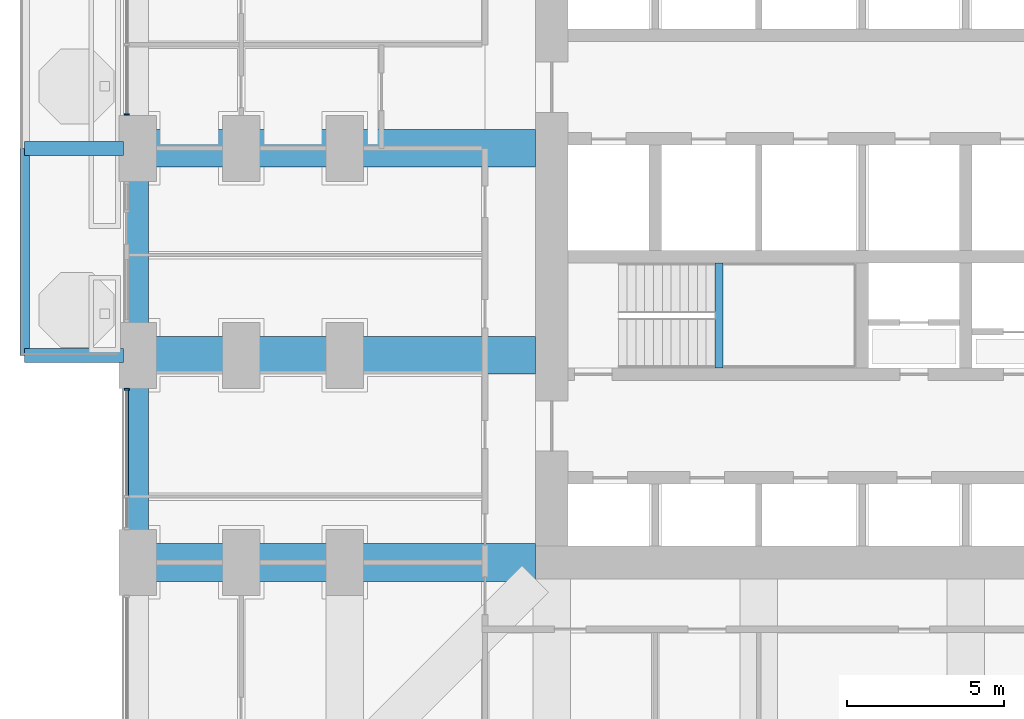
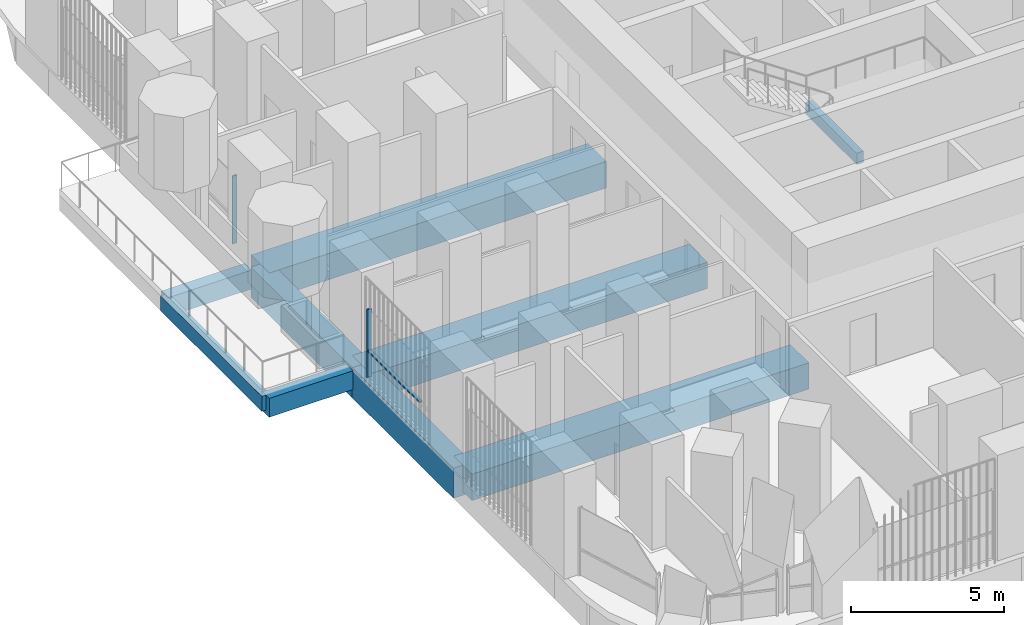
# One storey, part 3 of 26: 9 beams, 3 members, 2 elements without a shape of their own.
"""IFC4 building model written with IfcOpenShell, lengths in metres."""

from ifc_helpers import new_model, si_unit, direction, frame, origin, origin_2d, place, context, subcontext, project, spatial, rectangle, extrude, material, material_profile, profile_set, type_object, element, aggregate, save


model = new_model("IFC4")

# Units and contexts
model_context = context("Model", 3, precision=1e-05, world=origin(), true_north=direction((0.0, 1.0)))
body_context = subcontext(model_context, "Body", "Model", "MODEL_VIEW")
ifc_project = project(units=[si_unit("LENGTHUNIT", "METRE"), si_unit("AREAUNIT", "SQUARE_METRE"), si_unit("VOLUMEUNIT", "CUBIC_METRE"), si_unit("PLANEANGLEUNIT", "RADIAN"), si_unit("MASSUNIT", "GRAM", prefix="KILO")], contexts=[model_context])

# Site, building, storey
site_placement = place(None, origin())
site = spatial("IfcSite", under=ifc_project, at=site_placement, CompositionType="ELEMENT")
building_placement = place(site_placement, origin())
building = spatial("IfcBuilding", under=site, at=building_placement, Name="Cobogo Forest Laboratory Tower", CompositionType="ELEMENT")
storey_placement = place(building_placement, frame((0.0, 0.0, 42.300048828125)))
storey = spatial("IfcBuildingStorey", under=building, at=storey_placement, Name="L09", CompositionType="ELEMENT", Elevation=42.300048828125)

# Beams
ifc_material_1 = material(Name="Concrete HA-40 (C40/50)", Category="concrete")
ifc_material_profile_1 = material_profile(ifc_material_1, rectangle(XDim=0.449951171875, YDim=0.75, at=origin_2d()), Name="RC 450x750")
ifc_profile_set_1 = profile_set([ifc_material_profile_1], Name="Concrete HA-40 (C40/50)")
beam_type_1 = type_object("IfcBeamType", Name="Balcony cantilever beam 450x750", PredefinedType="BEAM", material=ifc_profile_set_1)
for number, where, z_axis, x_axis, name in (
    (1, (-0.449951171875, 19.800048828125, -0.625), (-1.0, 0.0, 0.0), (0.0, -1.0, 0.0), "CB1 BAL-W1-C1 L09"),
    (2, (-0.449951171875, 26.39990234375, -0.625), (-1.0, 0.0, 0.0), (0.0, -1.0, 0.0), "CB1 BAL-W1-C2 L09"),
):
    element("IfcBeam", number, at=place(storey_placement, frame(where, z_axis=z_axis, x_axis=x_axis)), inside=storey, type_object=beam_type_1, Name=name, PredefinedType="BEAM", context=body_context, shape_type="SweptSolid", body=[
        extrude(rectangle(XDim=0.449951171875, YDim=0.75, at=origin_2d()), origin(), (0.0, 0.0, 1.0), 3.150146484375),
    ])
ifc_material_profile_2 = material_profile(ifc_material_1, rectangle(XDim=0.300048828125, YDim=0.60009765625, at=origin_2d()), Name="RC 300x600")
ifc_profile_set_2 = profile_set([ifc_material_profile_2], Name="Concrete HA-40 (C40/50)")
beam_type_2 = type_object("IfcBeamType", Name="Balcony edge beam 300x600", PredefinedType="BEAM", material=ifc_profile_set_2)
beam_1_placement = place(storey_placement, frame((-3.60009765625, 19.800048828125, -0.550048828125), z_axis=(0.0, 1.0, 0.0), x_axis=(-1.0, 0.0, 0.0)))
element("IfcBeam", 3, at=beam_1_placement, inside=storey, type_object=beam_type_2, Name="BB1 BAL-W1-T1 L09", PredefinedType="BEAM", context=body_context, shape_type="SweptSolid", body=[
    extrude(rectangle(XDim=0.300048828125, YDim=0.60009765625, at=origin_2d()), origin(), (0.0, 0.0, 1.0), 6.599853515625),
])
ifc_material_profile_3 = material_profile(ifc_material_1, rectangle(XDim=0.25, YDim=0.449951171875, at=origin_2d()), Name="RC 250x450")
ifc_profile_set_3 = profile_set([ifc_material_profile_3], Name="Concrete HA-40 (C40/50)")
beam_type_3 = type_object("IfcBeamType", Name="LB1 landing beam 250x450", PredefinedType="BEAM", material=ifc_profile_set_3)
beam_2_placement = place(storey_placement, frame((18.530029296875, 19.39990234375, 1.675048828125), z_axis=(0.0, 1.0, 0.0), x_axis=(-1.0, 0.0, 0.0)))
element("IfcBeam", 4, at=beam_2_placement, inside=storey, type_object=beam_type_3, Name="Landing beam ST1 L09", PredefinedType="BEAM", context=body_context, shape_type="SweptSolid", body=[
    extrude(rectangle(XDim=0.25, YDim=0.449951171875, at=origin_2d()), origin(), (0.0, 0.0, 1.0), 3.35009765625),
])
ifc_material_profile_4 = material_profile(ifc_material_1, rectangle(XDim=1.199951171875, YDim=1.050048828125, at=origin_2d()), Name="RC 1200x1050")
ifc_profile_set_4 = profile_set([ifc_material_profile_4], Name="Concrete HA-40 (C40/50)")
beam_type_4 = type_object("IfcBeamType", Name="Laboratory floor wide beam 1200x1050", PredefinedType="BEAM", material=ifc_profile_set_4)
for number, where, z_axis, x_axis, name in (
    (5, (12.675048828125, 13.199951171875, -0.824951171875), (-1.0, 0.0, 0.0), (0.0, -1.0, 0.0), "RB1 R-C-W L09"),
    (6, (12.675048828125, 19.800048828125, -0.824951171875), (-1.0, 0.0, 0.0), (0.0, -1.0, 0.0), "RB1 R-D-W L09"),
    (7, (12.675048828125, 26.39990234375, -0.824951171875), (-1.0, 0.0, 0.0), (0.0, -1.0, 0.0), "RB1 R-E-W L09"),
):
    element("IfcBeam", number, at=place(storey_placement, frame(where, z_axis=z_axis, x_axis=x_axis)), inside=storey, type_object=beam_type_4, Name=name, PredefinedType="BEAM", context=body_context, shape_type="SweptSolid", body=[
        extrude(rectangle(XDim=1.199951171875, YDim=1.050048828125, at=origin_2d()), origin(), (0.0, 0.0, 1.0), 12.675048828125),
    ])

# Curtain wall, member
ifc_material_2 = material(Name="Aluminium curtain wall", Category="aluminium")
curtain_wall_type = type_object("IfcCurtainWallType", Name="CW-1 unitised curtain wall, clear glazing, laboratory floors zones A and B", PredefinedType="USERDEFINED", material=ifc_material_2)
curtain_wall_1_placement = place(storey_placement, origin())
curtain_wall_1 = element("IfcCurtainWall", 8, at=curtain_wall_1_placement, inside=storey, type_object=curtain_wall_type, Name="Curtain wall 28 L09", ObjectType="UNITISED CURTAIN WALL", PredefinedType="USERDEFINED")
ifc_material_3 = material(Name="Aluminium mullion", Category="aluminium")
ifc_material_profile_5 = material_profile(ifc_material_3, rectangle(XDim=0.06005859375, YDim=0.159912109375, at=origin_2d()), Name="AL 60x160")
ifc_profile_set_5 = profile_set([ifc_material_profile_5], Name="Aluminium mullion")
member_type_1 = type_object("IfcMemberType", Name="MU-1 aluminium mullion 60x160", PredefinedType="MULLION", material=ifc_profile_set_5)
member_1_placement = place(storey_placement, frame((-0.35009765625, 27.47998046875, 0.0), z_axis=(0.0, 0.0, 1.0), x_axis=(0.0, -1.0, 0.0)))
member_1 = element("IfcMember", 9, at=member_1_placement, type_object=member_type_1, Name="CW-1 mullion 3", PredefinedType="MULLION", context=body_context, shape_type="SweptSolid", body=[
    extrude(rectangle(XDim=0.06005859375, YDim=0.159912109375, at=origin_2d()), origin(), (0.0, 0.0, 1.0), 2.699951171875),
])
aggregate(curtain_wall_1, [member_1])

curtain_wall_2_placement = place(storey_placement, origin())
curtain_wall_2 = element("IfcCurtainWall", 10, at=curtain_wall_2_placement, inside=storey, type_object=curtain_wall_type, Name="Curtain wall 30 L09", ObjectType="UNITISED CURTAIN WALL", PredefinedType="USERDEFINED")
member_2_placement = place(storey_placement, frame((-0.35009765625, 18.719970703125, 0.0), z_axis=(0.0, 0.0, 1.0), x_axis=(0.0, -1.0, 0.0)))
member_2 = element("IfcMember", 11, at=member_2_placement, type_object=member_type_1, Name="CW-1 mullion 1", PredefinedType="MULLION", context=body_context, shape_type="SweptSolid", body=[
    extrude(rectangle(XDim=0.06005859375, YDim=0.159912109375, at=origin_2d()), origin(), (0.0, 0.0, 1.0), 2.699951171875),
])

# Beams
ifc_material_profile_6 = material_profile(ifc_material_1, rectangle(XDim=0.699951171875, YDim=1.199951171875, at=origin_2d()), Name="RC 700x1200")
ifc_profile_set_6 = profile_set([ifc_material_profile_6], Name="Concrete HA-40 (C40/50)")
beam_type_5 = type_object("IfcBeamType", Name="Perimeter edge beam 700x1200", PredefinedType="BEAM", material=ifc_profile_set_6)
beam_3_placement = place(storey_placement, frame((0.0, 13.199951171875, -0.900146484375), z_axis=(0.0, 1.0, 0.0), x_axis=(-1.0, 0.0, 0.0)))
element("IfcBeam", 12, at=beam_3_placement, inside=storey, type_object=beam_type_5, Name="EB1 E-W2 L09", PredefinedType="BEAM", context=body_context, shape_type="SweptSolid", body=[
    extrude(rectangle(XDim=0.699951171875, YDim=1.199951171875, at=origin_2d()), origin(), (0.0, 0.0, 1.0), 6.60009765625),
])
beam_4_placement = place(storey_placement, frame((0.0, 19.800048828125, -0.900146484375), z_axis=(0.0, 1.0, 0.0), x_axis=(-1.0, 0.0, 0.0)))
element("IfcBeam", 13, at=beam_4_placement, inside=storey, type_object=beam_type_5, Name="EB1 E-W3 L09", PredefinedType="BEAM", context=body_context, shape_type="SweptSolid", body=[
    extrude(rectangle(XDim=0.699951171875, YDim=1.199951171875, at=origin_2d()), origin(), (0.0, 0.0, 1.0), 6.599853515625),
])

# Member
ifc_material_4 = material(Name="Aluminium transom", Category="aluminium")
ifc_material_profile_7 = material_profile(ifc_material_4, rectangle(XDim=0.1201171875, YDim=0.06005859375, at=origin_2d()), Name="AL 60x120")
ifc_profile_set_7 = profile_set([ifc_material_profile_7], Name="Aluminium transom")
member_type_2 = type_object("IfcMemberType", Name="TR-1 aluminium transom 60x120", PredefinedType="USERDEFINED", material=ifc_profile_set_7)
member_3_placement = place(storey_placement, frame((-0.35009765625, 18.68994140625, 1.050048828125), z_axis=(0.0, -1.0, 0.0), x_axis=(1.0, 0.0, 0.0)))
member_3 = element("IfcMember", 14, at=member_3_placement, type_object=member_type_2, Name="CW-1 transom 1.1", ObjectType="TRANSOM", PredefinedType="USERDEFINED", context=body_context, shape_type="SweptSolid", body=[
    extrude(rectangle(XDim=0.1201171875, YDim=0.06005859375, at=origin_2d()), origin(), (0.0, 0.0, 1.0), 3.35986328125),
])

aggregate(curtain_wall_2, [member_2, member_3])

save(model, "model.ifc")
